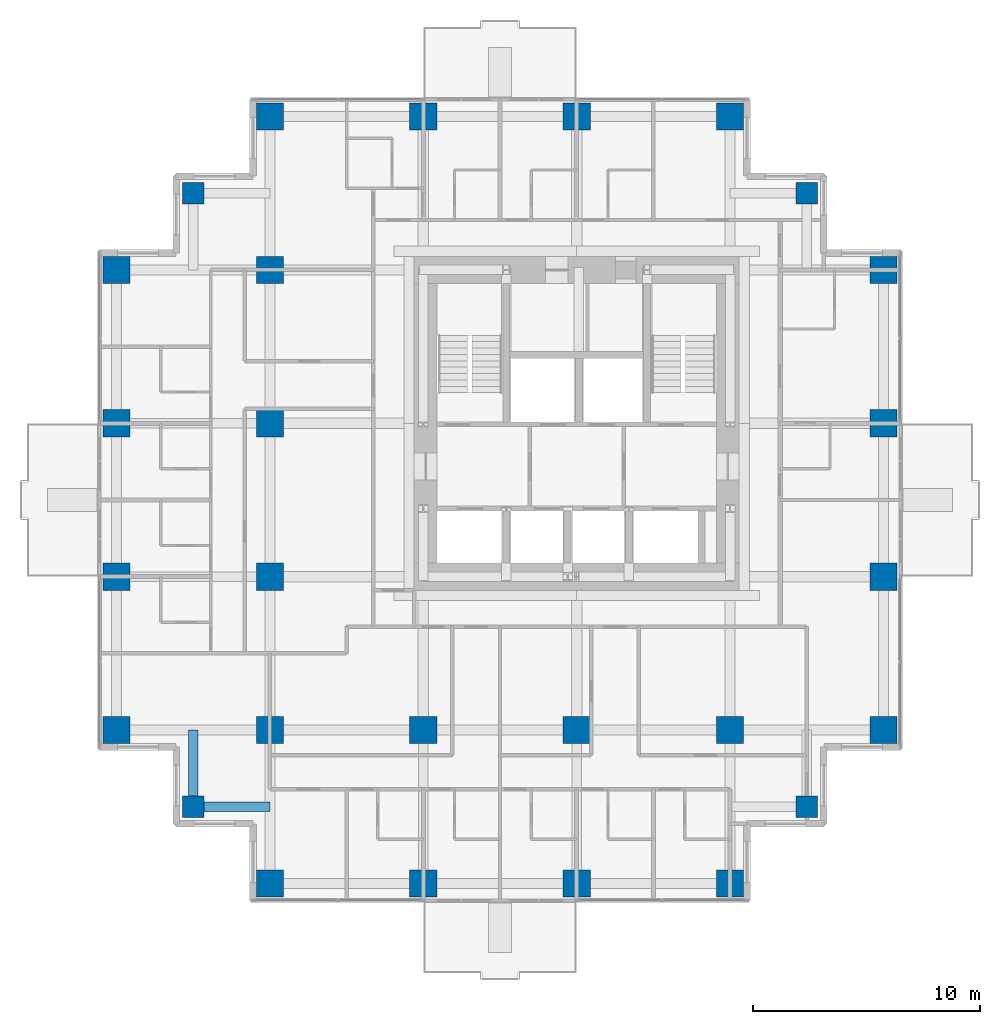
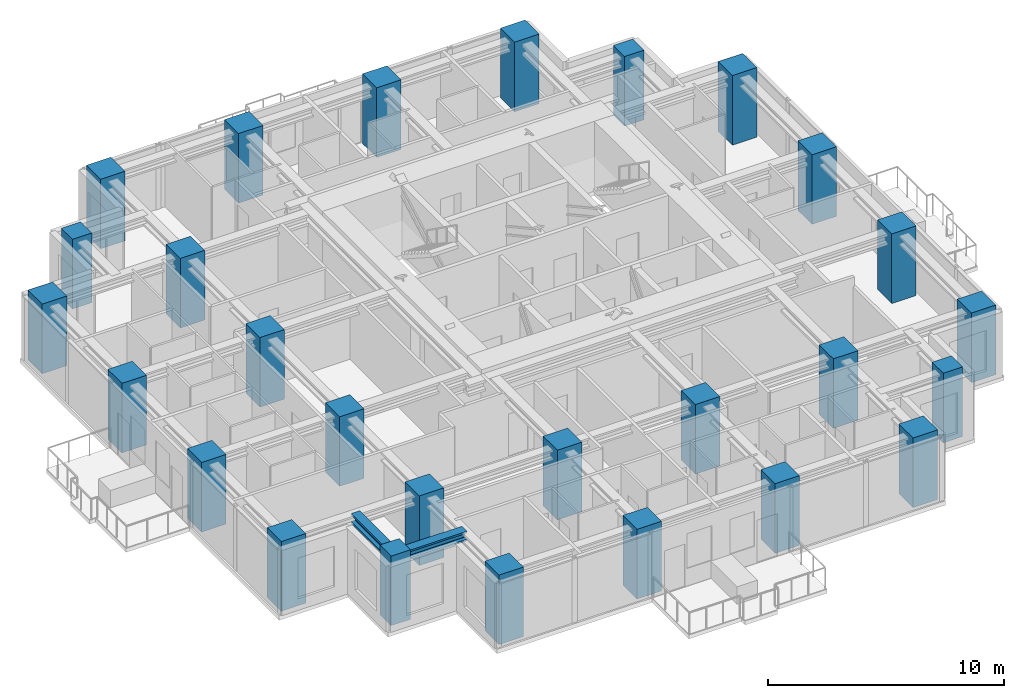
# One storey, part 1 of 10: 27 columns, 2 beams.
"""IFC4 building model written with IfcOpenShell, lengths in metres."""

from ifc_helpers import new_model, si_unit, direction, frame, origin, origin_2d, place, context, subcontext, project, spatial, rectangle, i_section, extrude, material, material_profile, profile_set, type_object, element, save


model = new_model("IFC4")

# Units and contexts
model_context = context("Model", 3, precision=1e-05, world=origin(), true_north=direction((0.0, 1.0)))
body_context = subcontext(model_context, "Body", "Model", "MODEL_VIEW")
ifc_project = project(units=[si_unit("LENGTHUNIT", "METRE"), si_unit("AREAUNIT", "SQUARE_METRE"), si_unit("VOLUMEUNIT", "CUBIC_METRE"), si_unit("PLANEANGLEUNIT", "RADIAN"), si_unit("MASSUNIT", "GRAM", prefix="KILO")], contexts=[model_context])

# Site, building, storey
site_placement = place(None, origin())
site = spatial("IfcSite", under=ifc_project, at=site_placement, CompositionType="ELEMENT")
building_placement = place(site_placement, origin())
building = spatial("IfcBuilding", under=site, at=building_placement, Name="Nyansa Garden Tower", CompositionType="ELEMENT")
storey_placement = place(building_placement, frame((0.0, 0.0, 185.39990234375)))
storey = spatial("IfcBuildingStorey", under=building, at=storey_placement, Name="L50", CompositionType="ELEMENT", Elevation=185.39990234375)

# Columns
ifc_material_1 = material(Name="Concrete C70/85", Category="concrete")
ifc_material_profile_1 = material_profile(ifc_material_1, rectangle(XDim=1.199951171875, YDim=1.199951171875, at=origin_2d()), Name="RC 1200x1200")
ifc_profile_set_1 = profile_set([ifc_material_profile_1], Name="Concrete C70/85")
column_type_1 = type_object("IfcColumnType", Name="Column C120 RC 1200x1200", PredefinedType="COLUMN", material=ifc_profile_set_1)
for number, where, z_axis, x_axis, name in (
    (1, (0.0, 6.75, 0.0), (0.0, 0.0, 1.0), (1.0, 0.0, 0.0), "Column 2/E L50"),
    (2, (0.0, 13.5, 0.0), (0.0, 0.0, 1.0), (1.0, 0.0, 0.0), "Column 2/F L50"),
    (3, (0.0, 20.25, 0.0), (0.0, 0.0, 1.0), (1.0, 0.0, 0.0), "Column 2/G L50"),
    (4, (0.0, 27.0, 0.0), (0.0, 0.0, 1.0), (1.0, 0.0, 0.0), "Column 2/H L50"),
    (5, (6.75, 0.0, 0.0), (0.0, 0.0, 1.0), (1.0, 0.0, 0.0), "Column 3/D L50"),
    (6, (6.75, 6.75, 0.0), (0.0, 0.0, 1.0), (1.0, 0.0, 0.0), "Column 3/E L50"),
    (7, (6.75, 13.5, 0.0), (0.0, 0.0, 1.0), (1.0, 0.0, 0.0), "Column 3/F L50"),
    (8, (6.75, 20.25, 0.0), (0.0, 0.0, 1.0), (1.0, 0.0, 0.0), "Column 3/G L50"),
    (9, (6.75, 27.0, 0.0), (0.0, 0.0, 1.0), (1.0, 0.0, 0.0), "Column 3/H L50"),
    (10, (6.75, 33.75, 0.0), (0.0, 0.0, 1.0), (1.0, 0.0, 0.0), "Column 3/J L50"),
    (11, (13.5, 0.0, 0.0), (0.0, 0.0, 1.0), (1.0, 0.0, 0.0), "Column 4/D L50"),
    (12, (13.5, 6.75, 0.0), (0.0, 0.0, 1.0), (1.0, 0.0, 0.0), "Column 4/E L50"),
    (13, (13.5, 33.75, 0.0), (0.0, 0.0, 1.0), (1.0, 0.0, 0.0), "Column 4/J L50"),
    (14, (20.25, 0.0, 0.0), (0.0, 0.0, 1.0), (1.0, 0.0, 0.0), "Column 5/D L50"),
    (15, (20.25, 6.75, 0.0), (0.0, 0.0, 1.0), (1.0, 0.0, 0.0), "Column 5/E L50"),
    (16, (20.25, 33.75, 0.0), (0.0, 0.0, 1.0), (1.0, 0.0, 0.0), "Column 5/J L50"),
    (17, (27.0, 0.0, 0.0), (0.0, 0.0, 1.0), (1.0, 0.0, 0.0), "Column 6/D L50"),
    (18, (27.0, 6.75, 0.0), (0.0, 0.0, 1.0), (1.0, 0.0, 0.0), "Column 6/E L50"),
    (19, (27.0, 33.75, 0.0), (0.0, 0.0, 1.0), (1.0, 0.0, 0.0), "Column 6/J L50"),
    (20, (33.75, 6.75, 0.0), (0.0, 0.0, 1.0), (1.0, 0.0, 0.0), "Column 7/E L50"),
    (21, (33.75, 13.5, 0.0), (0.0, 0.0, 1.0), (1.0, 0.0, 0.0), "Column 7/F L50"),
    (22, (33.75, 20.25, 0.0), (0.0, 0.0, 1.0), (1.0, 0.0, 0.0), "Column 7/G L50"),
    (23, (33.75, 27.0, 0.0), (0.0, 0.0, 1.0), (1.0, 0.0, 0.0), "Column 7/H L50"),
):
    element("IfcColumn", number, at=place(storey_placement, frame(where, z_axis=z_axis, x_axis=x_axis)), inside=storey, type_object=column_type_1, Name=name, PredefinedType="COLUMN", context=body_context, shape_type="SweptSolid", body=[
        extrude(rectangle(XDim=1.199951171875, YDim=1.199951171875, at=origin_2d()), origin(), (0.0, 0.0, 1.0), 3.60009765625),
    ])
ifc_material_2 = material(Name="Concrete C70/85", Category="concrete")
ifc_material_profile_2 = material_profile(ifc_material_2, rectangle(XDim=0.949951171875, YDim=0.949951171875, at=origin_2d()), Name="RC 950x950")
ifc_profile_set_2 = profile_set([ifc_material_profile_2], Name="Concrete C70/85")
column_type_2 = type_object("IfcColumnType", Name="Column C95 RC 950x950", PredefinedType="COLUMN", material=ifc_profile_set_2)
for number, where, z_axis, x_axis, name in (
    (24, (3.375, 3.375, 0.0), (0.0, 0.0, 1.0), (1.0, 0.0, 0.0), "Column x3.375/y3.375 L50"),
    (25, (3.375, 30.375, 0.0), (0.0, 0.0, 1.0), (1.0, 0.0, 0.0), "Column x3.375/y30.375 L50"),
    (26, (30.375, 3.375, 0.0), (0.0, 0.0, 1.0), (1.0, 0.0, 0.0), "Column x30.375/y3.375 L50"),
    (27, (30.375, 30.375, 0.0), (0.0, 0.0, 1.0), (1.0, 0.0, 0.0), "Column x30.375/y30.375 L50"),
):
    element("IfcColumn", number, at=place(storey_placement, frame(where, z_axis=z_axis, x_axis=x_axis)), inside=storey, type_object=column_type_2, Name=name, PredefinedType="COLUMN", context=body_context, shape_type="SweptSolid", body=[
        extrude(rectangle(XDim=0.949951171875, YDim=0.949951171875, at=origin_2d()), origin(), (0.0, 0.0, 1.0), 3.60009765625),
    ])

# Beams
ifc_material_3 = material(Name="Steel S355", Category="steel")
ifc_material_profile_3 = material_profile(ifc_material_3, i_section(OverallWidth=0.431884765625, OverallDepth=0.498046875, WebThickness=0.0556640625, FlangeThickness=0.0888671875, FilletRadius=0.014892578125, at=origin_2d()), Name="HD 400x744")
ifc_profile_set_3 = profile_set([ifc_material_profile_3], Name="Steel S355")
beam_type = type_object("IfcBeamType", Name="Steel beam SSB1-744 HD 400x744", PredefinedType="BEAM", material=ifc_profile_set_3)
for number, where, z_axis, x_axis, name in (
    (28, (3.375, 3.375, 3.1259765625), (0.0, 1.0, 0.0), (-1.0, 0.0, 0.0), "Steel step beam 3.375/3.375 L51"),
    (29, (3.375, 3.375, 3.1259765625), (1.0, 0.0, 0.0), (0.0, 1.0, 0.0), "Steel step beam 3.375/3.375 L51"),
):
    element("IfcBeam", number, at=place(storey_placement, frame(where, z_axis=z_axis, x_axis=x_axis)), inside=storey, type_object=beam_type, Name=name, PredefinedType="BEAM", context=body_context, shape_type="SweptSolid", body=[
        extrude(i_section(OverallWidth=0.431884765625, OverallDepth=0.498046875, WebThickness=0.0556640625, FlangeThickness=0.0888671875, FilletRadius=0.014892578125, at=origin_2d()), origin(), (0.0, 0.0, 1.0), 3.375),
    ])

save(model, "model.ifc")
